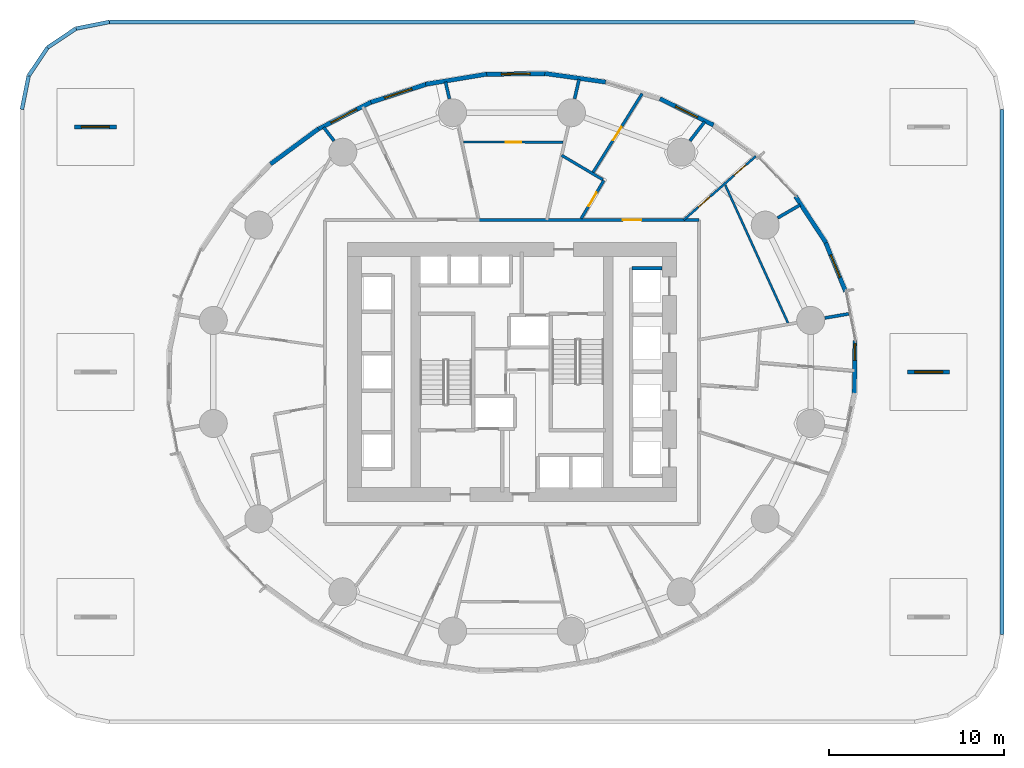
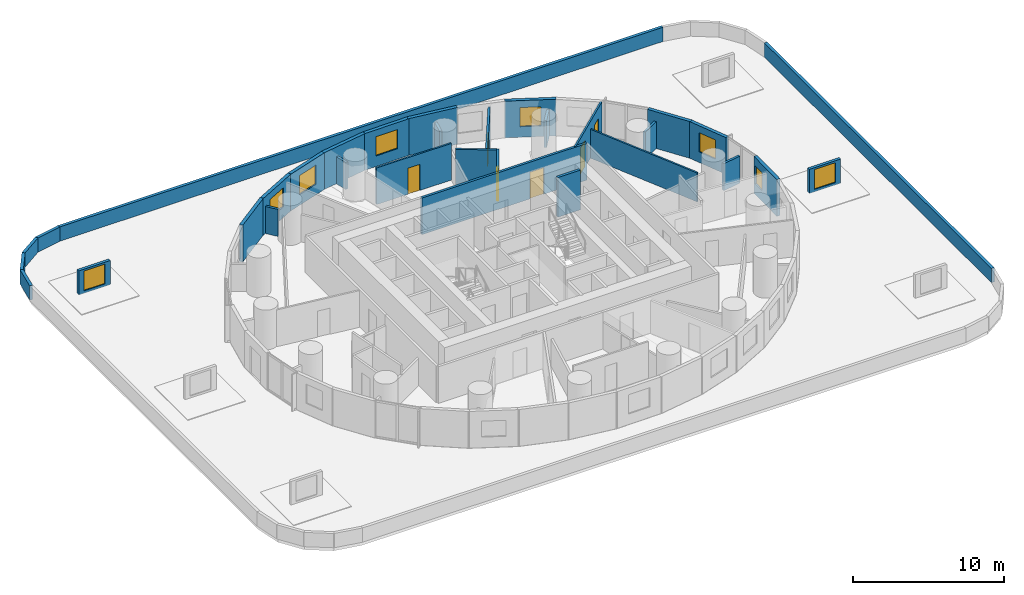
# One storey, part 9 of 12: 32 walls, 8 windows, 6 doors, 14 openings.
"""IFC4 building model written with IfcOpenShell, lengths in metres."""

from ifc_helpers import new_model, si_unit, direction, frame, frame_2d, origin, place, context, subcontext, project, spatial, rectangle, extrude, material, layer, layer_set, type_object, element, fill, save


model = new_model("IFC4")

# Units and contexts
model_context = context("Model", 3, precision=1e-05, world=origin(), true_north=direction((0.0, 1.0)))
body_context = subcontext(model_context, "Body", "Model", "MODEL_VIEW")
ifc_project = project(units=[si_unit("LENGTHUNIT", "METRE"), si_unit("AREAUNIT", "SQUARE_METRE"), si_unit("VOLUMEUNIT", "CUBIC_METRE"), si_unit("PLANEANGLEUNIT", "RADIAN"), si_unit("MASSUNIT", "GRAM", prefix="KILO")], contexts=[model_context])

# Site, building, storey
site_placement = place(None, origin())
site = spatial("IfcSite", under=ifc_project, at=site_placement, CompositionType="ELEMENT")
building_placement = place(site_placement, origin())
building = spatial("IfcBuilding", under=site, at=building_placement, Name="Veldorim Arch Residences", CompositionType="ELEMENT")
storey_placement = place(building_placement, frame((0.0, 0.0, 24.800048828125)))
storey = spatial("IfcBuildingStorey", under=building, at=storey_placement, Name="L06", CompositionType="ELEMENT", Elevation=24.800048828125)

# Wall, openings, doors
ifc_material_1 = material(Name="Acoustic Gypsum Board", Category="gypsum")
ifc_layer_1 = layer(ifc_material_1, 0.125, Name="Acoustic Stud Room Partition Wall 125")
ifc_layer_set_1 = layer_set([ifc_layer_1], Name="Acoustic Gypsum Board")
wall_type_1 = type_object("IfcWallType", Name="Acoustic Stud Room Partition Wall 125", PredefinedType="PARTITIONING", material=ifc_layer_set_1)
wall_1_placement = place(storey_placement, frame((45.927001953125, 36.32568359375, 0.0), z_axis=(0.0, 0.0, 1.0), x_axis=(-0.748844909992, -0.662745275939, 0.0)))
wall_1 = element("IfcWall", 1, at=wall_1_placement, inside=storey, type_object=wall_type_1, Name="L06 interior wall WL-RES-L06-023", PredefinedType="PARTITIONING", context=body_context, shape_type="SweptSolid", body=[
    extrude(rectangle(XDim=5.5009765625, YDim=0.125, at=frame_2d((2.75048828125, 0.0))), origin(), (0.0, 0.0, 1.0), 2.954833984375),
])
opening_1_placement = place(wall_1_placement, frame((0.74609375, 0.0, 0.0)))
opening_1 = element("IfcOpeningElement", 2, at=opening_1_placement, cuts=wall_1, Name="Opening DR-INT", PredefinedType="OPENING", context=body_context, shape_type="SweptSolid", body=[
    extrude(rectangle(XDim=0.89990234375, YDim=2.10009765625, at=frame_2d((0.449951171875, 1.050048828125))), frame((0.0, 0.072509765625, 0.0), z_axis=(0.0, -1.0, 0.0), x_axis=(1.0, 0.0, 0.0)), (0.0, 0.0, 1.0), 0.14501953125),
])
opening_2_placement = place(wall_1_placement, frame((3.476318359375, 0.0, 0.0)))
opening_2 = element("IfcOpeningElement", 3, at=opening_2_placement, cuts=wall_1, Name="Opening DR-INT", PredefinedType="OPENING", context=body_context, shape_type="SweptSolid", body=[
    extrude(rectangle(XDim=0.89990234375, YDim=2.10009765625, at=frame_2d((0.449951171875, 1.050048828125))), frame((0.0, 0.072509765625, 0.0), z_axis=(0.0, -1.0, 0.0), x_axis=(1.0, 0.0, 0.0)), (0.0, 0.0, 1.0), 0.14501953125),
])
ifc_material_2 = material(Name="Engineered Timber", Category="wood")
door_type_1 = type_object("IfcDoorType", Name="Apartment Internal Room Timber Door 900x2100", OperationType="SINGLE_SWING_LEFT", PredefinedType="DOOR", material=ifc_material_2)
door_1_placement = place(opening_1_placement, origin())
door_1 = element("IfcDoor", 4, at=door_1_placement, inside=storey, type_object=door_type_1, Name="L06 interior door DR-RES-L06-015", OperationType="SINGLE_SWING_LEFT", OverallHeight=2.10009765625, OverallWidth=0.89990234375, PredefinedType="DOOR", context=body_context, shape_type="SweptSolid", body=[
    extrude(rectangle(XDim=0.89990234375, YDim=2.10009765625, at=frame_2d((0.449951171875, 1.050048828125))), frame((0.0, 0.02490234375, 0.0), z_axis=(0.0, -1.0, 0.0), x_axis=(1.0, 0.0, 0.0)), (0.0, 0.0, 1.0), 0.050048828125),
])
fill(opening_1, door_1)
door_2_placement = place(opening_2_placement, origin())
door_2 = element("IfcDoor", 5, at=door_2_placement, inside=storey, type_object=door_type_1, Name="L06 interior door DR-RES-L06-016", OperationType="SINGLE_SWING_RIGHT", OverallHeight=2.10009765625, OverallWidth=0.89990234375, PredefinedType="DOOR", context=body_context, shape_type="SweptSolid", body=[
    extrude(rectangle(XDim=0.89990234375, YDim=2.10009765625, at=frame_2d((0.449951171875, 1.050048828125))), frame((0.0, 0.02490234375, 0.0), z_axis=(0.0, -1.0, 0.0), x_axis=(1.0, 0.0, 0.0)), (0.0, 0.0, 1.0), 0.050048828125),
])
fill(opening_2, door_2)

# Wall
wall_2_placement = place(storey_placement, frame((47.76904296875, 26.800537109375, 0.0), z_axis=(0.0, 0.0, 1.0), x_axis=(-0.414076998559, 0.910241857565, 0.0)))
element("IfcWall", 6, at=wall_2_placement, inside=storey, type_object=wall_type_1, Name="L06 interior wall WL-RES-L06-027", PredefinedType="PARTITIONING", context=body_context, shape_type="SweptSolid", body=[
    extrude(rectangle(XDim=8.65771484375, YDim=0.125, at=frame_2d((4.328857421875, 0.0))), origin(), (0.0, 0.0, 1.0), 2.32763671875),
])

# Wall, opening, door
wall_3_placement = place(storey_placement, frame((29.236572265625, 37.146484375, 0.0), z_axis=(0.0, 0.0, 1.0), x_axis=(0.999989854874, -0.004504458806, 0.0)))
wall_3 = element("IfcWall", 7, at=wall_3_placement, inside=storey, type_object=wall_type_1, Name="L06 interior wall WL-RES-L06-031", PredefinedType="PARTITIONING", context=body_context, shape_type="SweptSolid", body=[
    extrude(rectangle(XDim=5.69091796875, YDim=0.125, at=frame_2d((2.845458984375, 0.0))), origin(), (0.0, 0.0, 1.0), 2.954833984375),
])
opening_3_placement = place(wall_3_placement, frame((2.3955078125, 0.0, 0.0)))
opening_3 = element("IfcOpeningElement", 8, at=opening_3_placement, cuts=wall_3, Name="Opening DR-INT", PredefinedType="OPENING", context=body_context, shape_type="SweptSolid", body=[
    extrude(rectangle(XDim=0.89990234375, YDim=2.10009765625, at=frame_2d((0.449951171875, 1.050048828125))), frame((0.0, 0.072509765625, 0.0), z_axis=(0.0, -1.0, 0.0), x_axis=(1.0, 0.0, 0.0)), (0.0, 0.0, 1.0), 0.14501953125),
])
door_3_placement = place(opening_3_placement, origin())
door_3 = element("IfcDoor", 9, at=door_3_placement, inside=storey, type_object=door_type_1, Name="L06 interior door DR-RES-L06-021", OperationType="SINGLE_SWING_LEFT", OverallHeight=2.10009765625, OverallWidth=0.89990234375, PredefinedType="DOOR", context=body_context, shape_type="SweptSolid", body=[
    extrude(rectangle(XDim=0.89990234375, YDim=2.10009765625, at=frame_2d((0.449951171875, 1.050048828125))), frame((0.0, 0.02490234375, 0.0), z_axis=(0.0, -1.0, 0.0), x_axis=(1.0, 0.0, 0.0)), (0.0, 0.0, 1.0), 0.050048828125),
])
fill(opening_3, door_3)

# Walls
ifc_material_3 = material(Name="Lightweight Masonry Block & Gypsum", Category="masonry")
ifc_layer_2 = layer(ifc_material_3, 0.179931640625, Name="Compartment & Corridor Fire-Rated Party Wall 180")
ifc_layer_set_2 = layer_set([ifc_layer_2], Name="Lightweight Masonry Block & Gypsum")
wall_type_2 = type_object("IfcWallType", Name="Compartment & Corridor Fire-Rated Party Wall 180", PredefinedType="PARTITIONING", material=ifc_layer_set_2)
wall_4_placement = place(storey_placement, frame((49.873779296875, 27.08544921875, 0.0), z_axis=(0.0, 0.0, 1.0), x_axis=(0.985429571056, 0.170083980696, 0.0)))
element("IfcWall", 10, at=wall_4_placement, inside=storey, type_object=wall_type_2, Name="L06 interior wall WL-PIER-L06-01", PredefinedType="PARTITIONING", context=body_context, shape_type="SweptSolid", body=[
    extrude(rectangle(XDim=1.38525390625, YDim=0.179931640625, at=frame_2d((0.692626953125, 0.0))), origin(), (0.0, 0.0, 1.0), 2.17822265625),
])
wall_5_placement = place(storey_placement, frame((47.177001953125, 32.80029296875, 0.0), z_axis=(0.0, 0.0, 1.0), x_axis=(0.865049792178, 0.501686014408, 0.0)))
element("IfcWall", 11, at=wall_5_placement, inside=storey, type_object=wall_type_2, Name="L06 interior wall WL-PIER-L06-02", PredefinedType="PARTITIONING", context=body_context, shape_type="SweptSolid", body=[
    extrude(rectangle(XDim=1.48095703125, YDim=0.179931640625, at=frame_2d((0.740478515625, 0.0))), origin(), (0.0, 0.0, 1.0), 2.17822265625),
])
wall_6_placement = place(storey_placement, frame((42.167236328125, 37.204833984375, 0.0), z_axis=(0.0, 0.0, 1.0), x_axis=(0.609967804345, 0.792426196982, 0.0)))
element("IfcWall", 12, at=wall_6_placement, inside=storey, type_object=wall_type_2, Name="L06 interior wall WL-PIER-L06-03", PredefinedType="PARTITIONING", context=body_context, shape_type="SweptSolid", body=[
    extrude(rectangle(XDim=1.376953125, YDim=0.179931640625, at=frame_2d((0.6884765625, 0.0))), origin(), (0.0, 0.0, 1.0), 2.17822265625),
])
wall_7_placement = place(storey_placement, frame((35.577880859375, 39.609130859375, 0.0), z_axis=(0.0, 0.0, 1.0), x_axis=(0.223317049761, 0.974745861897, 0.0)))
element("IfcWall", 13, at=wall_7_placement, inside=storey, type_object=wall_type_2, Name="L06 interior wall WL-PIER-L06-04", PredefinedType="PARTITIONING", context=body_context, shape_type="SweptSolid", body=[
    extrude(rectangle(XDim=1.14453125, YDim=0.179931640625, at=frame_2d((0.572265625, 0.0))), origin(), (0.0, 0.0, 1.0), 2.17822265625),
])
wall_8_placement = place(storey_placement, frame((28.422119140625, 39.609130859375, 0.0), z_axis=(0.0, 0.0, 1.0), x_axis=(-0.223200215289, 0.974772621638, 0.0)))
element("IfcWall", 14, at=wall_8_placement, inside=storey, type_object=wall_type_2, Name="L06 interior wall WL-PIER-L06-05", PredefinedType="PARTITIONING", context=body_context, shape_type="SweptSolid", body=[
    extrude(rectangle(XDim=0.98876953125, YDim=0.179931640625, at=frame_2d((0.494384765625, 0.0))), origin(), (0.0, 0.0, 1.0), 2.17822265625),
])
wall_9_placement = place(storey_placement, frame((21.832763671875, 37.204833984375, 0.0), z_axis=(0.0, 0.0, 1.0), x_axis=(-0.609953343804, 0.792437327732, 0.0)))
element("IfcWall", 15, at=wall_9_placement, inside=storey, type_object=wall_type_2, Name="L06 interior wall WL-PIER-L06-06", PredefinedType="PARTITIONING", context=body_context, shape_type="SweptSolid", body=[
    extrude(rectangle(XDim=0.97265625, YDim=0.179931640625, at=frame_2d((0.486328125, 0.0))), origin(), (0.0, 0.0, 1.0), 2.17822265625),
])

# Wall, opening, door
wall_10_placement = place(storey_placement, frame((30.102294921875, 32.679931640625, 0.0), z_axis=(0.0, 0.0, 1.0), x_axis=(1.0, 0.0, 0.0)))
wall_10 = element("IfcWall", 16, at=wall_10_placement, inside=storey, type_object=wall_type_2, Name="L06 interior wall WL-RES-L06-005", PredefinedType="PARTITIONING", context=body_context, shape_type="SweptSolid", body=[
    extrude(rectangle(XDim=12.57763671875, YDim=0.179931640625, at=frame_2d((6.288818359375, 0.0))), origin(), (0.0, 0.0, 1.0), 2.954833984375),
])
opening_4_placement = place(wall_10_placement, frame((8.23291015625, 0.0, 0.0)))
opening_4 = element("IfcOpeningElement", 17, at=opening_4_placement, cuts=wall_10, Name="Opening DR-FLT", PredefinedType="OPENING", context=body_context, shape_type="SweptSolid", body=[
    extrude(rectangle(XDim=1.050048828125, YDim=2.14990234375, at=frame_2d((0.52490234375, 1.074951171875))), frame((0.0, 0.099853515625, 0.0), z_axis=(0.0, -1.0, 0.0), x_axis=(1.0, 0.0, 0.0)), (0.0, 0.0, 1.0), 0.199951171875),
])
ifc_material_4 = material(Name="Fire-Rated Timber", Category="wood")
door_type_2 = type_object("IfcDoorType", Name="Apartment Entrance Solid-Core Fire Door 1050x2150", OperationType="SINGLE_SWING_LEFT", PredefinedType="DOOR", material=ifc_material_4)
door_4_placement = place(opening_4_placement, origin())
door_4 = element("IfcDoor", 18, at=door_4_placement, inside=storey, type_object=door_type_2, Name="L06 interior door DR-RES-L06-013", OperationType="SINGLE_SWING_LEFT", OverallHeight=2.14990234375, OverallWidth=1.050048828125, PredefinedType="DOOR", context=body_context, shape_type="SweptSolid", body=[
    extrude(rectangle(XDim=1.050048828125, YDim=2.14990234375, at=frame_2d((0.52490234375, 1.074951171875))), frame((0.0, 0.02490234375, 0.0), z_axis=(0.0, -1.0, 0.0), x_axis=(1.0, 0.0, 0.0)), (0.0, 0.0, 1.0), 0.050048828125),
])
fill(opening_4, door_4)

# Walls
ifc_material_5 = material(Name="Concrete C50/60", Category="concrete")
ifc_layer_3 = layer(ifc_material_5, 0.199951171875, Name="Core Stair & Lift Shaft Enclosure Wall 200")
ifc_layer_set_3 = layer_set([ifc_layer_3], Name="Concrete C50/60")
wall_type_3 = type_object("IfcWallType", Name="Core Stair & Lift Shaft Enclosure Wall 200", PredefinedType="SHEAR", material=ifc_layer_set_3)
wall_11_placement = place(storey_placement, frame((38.8701171875, 29.93994140625, 0.0), z_axis=(0.0, 0.0, 1.0), x_axis=(1.0, 0.0, 0.0)))
element("IfcWall", 19, at=wall_11_placement, inside=storey, type_object=wall_type_3, Name="L06 shaft wall WL-B1-L06-N", PredefinedType="SHEAR", context=body_context, shape_type="SweptSolid", body=[
    extrude(rectangle(XDim=1.7099609375, YDim=0.199951171875, at=frame_2d((0.85498046875, 0.0))), origin(), (0.0, 0.0, 1.0), 3.199951171875),
])
ifc_material_6 = material(Name="Precast concrete C40/50", Category="concrete")
ifc_layer_4 = layer(ifc_material_6, 0.219970703125, Name="Terrace & Refuge Perimeter Parapet Wall 220")
ifc_layer_set_4 = layer_set([ifc_layer_4], Name="Precast concrete C40/50")
wall_type_4 = type_object("IfcWallType", Name="Terrace & Refuge Perimeter Parapet Wall 220", PredefinedType="PARAPET", material=ifc_layer_set_4)
wall_12_placement = place(storey_placement, frame((60.0, 39.0, 0.0), z_axis=(0.0, 0.0, 1.0), x_axis=(0.0, -1.0, 0.0)))
element("IfcWall", 20, at=wall_12_placement, inside=storey, type_object=wall_type_4, Name="L06 podium roof garden perimeter parapet 04", PredefinedType="PARAPET", context=body_context, shape_type="SweptSolid", body=[
    extrude(rectangle(XDim=30.0, YDim=0.219970703125, at=frame_2d((15.0, 0.0))), origin(), (0.0, 0.0, 1.0), 1.14990234375),
])
wall_13_placement = place(storey_placement, frame((9.0, 44.0, 0.0), z_axis=(0.0, 0.0, 1.0), x_axis=(1.0, 0.0, 0.0)))
element("IfcWall", 21, at=wall_13_placement, inside=storey, type_object=wall_type_4, Name="L06 podium roof garden perimeter parapet 09", PredefinedType="PARAPET", context=body_context, shape_type="SweptSolid", body=[
    extrude(rectangle(XDim=46.0, YDim=0.219970703125, at=frame_2d((23.0, 0.0))), origin(), (0.0, 0.0, 1.0), 1.14990234375),
])
for number, where, z_axis, x_axis, name in (
    (22, (7.086669921875, 43.619384765625, 0.0), (0.0, 0.0, 1.0), (0.980782316333, 0.19510522281, 0.0), "L06 podium roof garden perimeter parapet 10"),
    (23, (5.464599609375, 42.535400390625, 0.0), (0.0, 0.0, 1.0), (0.831433704682, 0.555623968812, 0.0), "L06 podium roof garden perimeter parapet 11"),
    (24, (4.380615234375, 40.913330078125, 0.0), (0.0, 0.0, 1.0), (0.555623968812, 0.831433704682, 0.0), "L06 podium roof garden perimeter parapet 12"),
    (25, (4.0, 39.0, 0.0), (0.0, 0.0, 1.0), (0.19510522281, 0.980782316333, 0.0), "L06 podium roof garden perimeter parapet 13"),
):
    element("IfcWall", number, at=place(storey_placement, frame(where, z_axis=z_axis, x_axis=x_axis)), inside=storey, type_object=wall_type_4, Name=name, PredefinedType="PARAPET", context=body_context, shape_type="SweptSolid", body=[
        extrude(rectangle(XDim=1.950927734375, YDim=0.219970703125, at=frame_2d((0.9755859375, 0.0))), origin(), (0.0, 0.0, 1.0), 1.14990234375),
    ])

# Wall, opening, window
wall_14_placement = place(storey_placement, frame((7.0, 38.0, 0.0), z_axis=(0.0, 0.0, 1.0), x_axis=(1.0, 0.0, 0.0)))
wall_14 = element("IfcWall", 26, at=wall_14_placement, inside=storey, type_object=wall_type_4, Name="L06 clinic atrium skylight monitor wall 03", PredefinedType="PARAPET", context=body_context, shape_type="SweptSolid", body=[
    extrude(rectangle(XDim=2.39990234375, YDim=0.219970703125, at=frame_2d((1.199951171875, 0.0))), origin(), (0.0, 0.0, 1.0), 1.949951171875),
])
opening_5_placement = place(wall_14_placement, frame((0.39990234375, 0.0, 0.199951171875)))
opening_5 = element("IfcOpeningElement", 27, at=opening_5_placement, cuts=wall_14, Name="Opening SK-01", PredefinedType="OPENING", context=body_context, shape_type="SweptSolid", body=[
    extrude(rectangle(XDim=1.60009765625, YDim=1.60009765625, at=frame_2d((0.800048828125, 0.800048828125))), frame((0.0, 0.119873046875, 0.0), z_axis=(0.0, -1.0, 0.0), x_axis=(1.0, 0.0, 0.0)), (0.0, 0.0, 1.0), 0.239990234375),
])
ifc_material_7 = material(Name="Laminated Low-E Glass", Category="glass")
window_type_1 = type_object("IfcWindowType", Name="Podium Roof Framed Skylight 1600x1600", PartitioningType="SINGLE_PANEL", PredefinedType="SKYLIGHT", material=ifc_material_7)
window_1_placement = place(opening_5_placement, origin())
window_1 = element("IfcWindow", 28, at=window_1_placement, inside=storey, type_object=window_type_1, Name="L06 polyclinic roof skylight 03", OverallHeight=1.60009765625, OverallWidth=1.60009765625, PartitioningType="SINGLE_PANEL", PredefinedType="SKYLIGHT", context=body_context, shape_type="SweptSolid", body=[
    extrude(rectangle(XDim=1.60009765625, YDim=1.60009765625, at=frame_2d((0.800048828125, 0.800048828125))), frame((0.0, 0.030029296875, 0.0), z_axis=(0.0, -1.0, 0.0), x_axis=(1.0, 0.0, 0.0)), (0.0, 0.0, 1.0), 0.06005859375),
])
fill(opening_5, window_1)

wall_15_placement = place(storey_placement, frame((54.60009765625, 24.0, 0.0), z_axis=(0.0, 0.0, 1.0), x_axis=(1.0, 0.0, 0.0)))
wall_15 = element("IfcWall", 29, at=wall_15_placement, inside=storey, type_object=wall_type_4, Name="L06 clinic atrium skylight monitor wall 05", PredefinedType="PARAPET", context=body_context, shape_type="SweptSolid", body=[
    extrude(rectangle(XDim=2.39990234375, YDim=0.219970703125, at=frame_2d((1.199951171875, 0.0))), origin(), (0.0, 0.0, 1.0), 1.949951171875),
])
opening_6_placement = place(wall_15_placement, frame((0.39990234375, 0.0, 0.199951171875)))
opening_6 = element("IfcOpeningElement", 30, at=opening_6_placement, cuts=wall_15, Name="Opening SK-01", PredefinedType="OPENING", context=body_context, shape_type="SweptSolid", body=[
    extrude(rectangle(XDim=1.60009765625, YDim=1.60009765625, at=frame_2d((0.800048828125, 0.800048828125))), frame((0.0, 0.119873046875, 0.0), z_axis=(0.0, -1.0, 0.0), x_axis=(1.0, 0.0, 0.0)), (0.0, 0.0, 1.0), 0.239990234375),
])
window_2_placement = place(opening_6_placement, origin())
window_2 = element("IfcWindow", 31, at=window_2_placement, inside=storey, type_object=window_type_1, Name="L06 polyclinic roof skylight 05", OverallHeight=1.60009765625, OverallWidth=1.60009765625, PartitioningType="SINGLE_PANEL", PredefinedType="SKYLIGHT", context=body_context, shape_type="SweptSolid", body=[
    extrude(rectangle(XDim=1.60009765625, YDim=1.60009765625, at=frame_2d((0.800048828125, 0.800048828125))), frame((0.0, 0.030029296875, 0.0), z_axis=(0.0, -1.0, 0.0), x_axis=(1.0, 0.0, 0.0)), (0.0, 0.0, 1.0), 0.06005859375),
])
fill(opening_6, window_2)

ifc_material_8 = material(Name="Precast concrete C40/50", Category="concrete")
ifc_layer_5 = layer(ifc_material_8, 0.25, Name="Tower Terracotta Spandrel & Pier Wall 250")
ifc_layer_set_5 = layer_set([ifc_layer_5], Name="Precast concrete C40/50")
wall_type_5 = type_object("IfcWallType", Name="Tower Terracotta Spandrel & Pier Wall 250", PredefinedType="SOLIDWALL", material=ifc_layer_set_5)
wall_16_placement = place(storey_placement, frame((49.884521484375, 31.489013671875, 0.0), z_axis=(0.0, 0.0, 1.0), x_axis=(0.377493207518, -0.926012353199, 0.0)))
wall_16 = element("IfcWall", 32, at=wall_16_placement, inside=storey, type_object=wall_type_5, Name="L06 terracotta facade wall 02", PredefinedType="SOLIDWALL", context=body_context, shape_type="SweptSolid", body=[
    extrude(rectangle(XDim=3.12060546875, YDim=0.25, at=frame_2d((1.560302734375, 0.0))), origin(), (0.0, 0.0, 1.0), 2.9599609375),
])
opening_7_placement = place(wall_16_placement, frame((0.860107421875, 0.0, 0.85009765625)))
opening_7 = element("IfcOpeningElement", 33, at=opening_7_placement, cuts=wall_16, Name="Opening WN-02", PredefinedType="OPENING", context=body_context, shape_type="SweptSolid", body=[
    extrude(rectangle(XDim=1.39990234375, YDim=1.550048828125, at=frame_2d((0.699951171875, 0.77490234375))), frame((0.0, 0.135009765625, 0.0), z_axis=(0.0, -1.0, 0.0), x_axis=(1.0, 0.0, 0.0)), (0.0, 0.0, 1.0), 0.27001953125),
])
ifc_material_9 = material(Name="Laminated Low-E Glass", Category="glass")
window_type_2 = type_object("IfcWindowType", Name="Residential Casement Window 1400x1550", PartitioningType="SINGLE_PANEL", PredefinedType="WINDOW", material=ifc_material_9)
window_3_placement = place(opening_7_placement, origin())
window_3 = element("IfcWindow", 34, at=window_3_placement, inside=storey, type_object=window_type_2, Name="L06 solar-control facade window 02", OverallHeight=1.550048828125, OverallWidth=1.39990234375, PartitioningType="SINGLE_PANEL", PredefinedType="WINDOW", context=body_context, shape_type="SweptSolid", body=[
    extrude(rectangle(XDim=1.39990234375, YDim=1.550048828125, at=frame_2d((0.699951171875, 0.77490234375))), frame((0.0, 0.030029296875, 0.0), z_axis=(0.0, -1.0, 0.0), x_axis=(1.0, 0.0, 0.0)), (0.0, 0.0, 1.0), 0.06005859375),
])
fill(opening_7, window_3)

# Wall
wall_17_placement = place(storey_placement, frame((48.1962890625, 34.042236328125, 0.0), z_axis=(0.0, 0.0, 1.0), x_axis=(0.548579153619, -0.836098625889, 0.0)))
element("IfcWall", 35, at=wall_17_placement, inside=storey, type_object=wall_type_5, Name="L06 terracotta facade wall 03", PredefinedType="SOLIDWALL", context=body_context, shape_type="SweptSolid", body=[
    extrude(rectangle(XDim=3.174072265625, YDim=0.25, at=frame_2d((1.5869140625, 0.0))), origin(), (0.0, 0.0, 1.0), 2.9599609375),
])

# Wall, opening, window
wall_18_placement = place(storey_placement, frame((40.45751953125, 39.615478515625, 0.0), z_axis=(0.0, 0.0, 1.0), x_axis=(0.896727977212, -0.442582122193, 0.0)))
wall_18 = element("IfcWall", 36, at=wall_18_placement, inside=storey, type_object=wall_type_5, Name="L06 terracotta facade wall 06", PredefinedType="SOLIDWALL", context=body_context, shape_type="SweptSolid", body=[
    extrude(rectangle(XDim=3.399169921875, YDim=0.25, at=frame_2d((1.69970703125, 0.0))), origin(), (0.0, 0.0, 1.0), 2.9599609375),
])
opening_8_placement = place(wall_18_placement, frame((1.0, 0.0, 0.85009765625)))
opening_8 = element("IfcOpeningElement", 37, at=opening_8_placement, cuts=wall_18, Name="Opening WN-02", PredefinedType="OPENING", context=body_context, shape_type="SweptSolid", body=[
    extrude(rectangle(XDim=1.39990234375, YDim=1.550048828125, at=frame_2d((0.699951171875, 0.77490234375))), frame((0.0, 0.135009765625, 0.0), z_axis=(0.0, -1.0, 0.0), x_axis=(1.0, 0.0, 0.0)), (0.0, 0.0, 1.0), 0.27001953125),
])
window_4_placement = place(opening_8_placement, origin())
window_4 = element("IfcWindow", 38, at=window_4_placement, inside=storey, type_object=window_type_2, Name="L06 solar-control facade window 06", OverallHeight=1.550048828125, OverallWidth=1.39990234375, PartitioningType="SINGLE_PANEL", PredefinedType="WINDOW", context=body_context, shape_type="SweptSolid", body=[
    extrude(rectangle(XDim=1.39990234375, YDim=1.550048828125, at=frame_2d((0.699951171875, 0.77490234375))), frame((0.0, 0.030029296875, 0.0), z_axis=(0.0, -1.0, 0.0), x_axis=(1.0, 0.0, 0.0)), (0.0, 0.0, 1.0), 0.06005859375),
])
fill(opening_8, window_4)

# Wall
wall_19_placement = place(storey_placement, frame((33.874755859375, 41.057861328125, 0.0), z_axis=(0.0, 0.0, 1.0), x_axis=(0.990105954495, -0.140321769067, 0.0)))
element("IfcWall", 39, at=wall_19_placement, inside=storey, type_object=wall_type_5, Name="L06 terracotta facade wall 08", PredefinedType="SOLIDWALL", context=body_context, shape_type="SweptSolid", body=[
    extrude(rectangle(XDim=3.5126953125, YDim=0.25, at=frame_2d((1.75634765625, 0.0))), origin(), (0.0, 0.0, 1.0), 2.9599609375),
])

# Wall, opening, window
wall_20_placement = place(storey_placement, frame((30.445556640625, 41.008056640625, 0.0), z_axis=(0.0, 0.0, 1.0), x_axis=(0.999927087517, 0.012075580727, 0.0)))
wall_20 = element("IfcWall", 40, at=wall_20_placement, inside=storey, type_object=wall_type_5, Name="L06 terracotta facade wall 09", PredefinedType="SOLIDWALL", context=body_context, shape_type="SweptSolid", body=[
    extrude(rectangle(XDim=3.5380859375, YDim=0.25, at=frame_2d((1.76904296875, 0.0))), origin(), (0.0, 0.0, 1.0), 2.9599609375),
])
opening_9_placement = place(wall_20_placement, frame((0.944091796875, 0.0, 0.85009765625)))
opening_9 = element("IfcOpeningElement", 41, at=opening_9_placement, cuts=wall_20, Name="Opening WN-03", PredefinedType="OPENING", context=body_context, shape_type="SweptSolid", body=[
    extrude(rectangle(XDim=1.64990234375, YDim=1.550048828125, at=frame_2d((0.824951171875, 0.77490234375))), frame((0.0, 0.135009765625, 0.0), z_axis=(0.0, -1.0, 0.0), x_axis=(1.0, 0.0, 0.0)), (0.0, 0.0, 1.0), 0.27001953125),
])
ifc_material_10 = material(Name="Laminated Low-E Glass", Category="glass")
window_type_3 = type_object("IfcWindowType", Name="Residential Wide Window 1650x1550", PartitioningType="SINGLE_PANEL", PredefinedType="WINDOW", material=ifc_material_10)
window_5_placement = place(opening_9_placement, origin())
window_5 = element("IfcWindow", 42, at=window_5_placement, inside=storey, type_object=window_type_3, Name="L06 solar-control facade window 09", OverallHeight=1.550048828125, OverallWidth=1.64990234375, PartitioningType="SINGLE_PANEL", PredefinedType="WINDOW", context=body_context, shape_type="SweptSolid", body=[
    extrude(rectangle(XDim=1.64990234375, YDim=1.550048828125, at=frame_2d((0.824951171875, 0.77490234375))), frame((0.0, 0.030029296875, 0.0), z_axis=(0.0, -1.0, 0.0), x_axis=(1.0, 0.0, 0.0)), (0.0, 0.0, 1.0), 0.06005859375),
])
fill(opening_9, window_5)

# Wall
wall_21_placement = place(storey_placement, frame((27.06298828125, 40.4404296875, 0.0), z_axis=(0.0, 0.0, 1.0), x_axis=(0.986605703013, 0.16312322576, 0.0)))
element("IfcWall", 43, at=wall_21_placement, inside=storey, type_object=wall_type_5, Name="L06 terracotta facade wall 10", PredefinedType="SOLIDWALL", context=body_context, shape_type="SweptSolid", body=[
    extrude(rectangle(XDim=3.5380859375, YDim=0.25, at=frame_2d((1.76904296875, 0.0))), origin(), (0.0, 0.0, 1.0), 2.9599609375),
])

# Wall, opening, window
wall_22_placement = place(storey_placement, frame((23.83056640625, 39.37255859375, 0.0), z_axis=(0.0, 0.0, 1.0), x_axis=(0.950290237418, 0.311365484066, 0.0)))
wall_22 = element("IfcWall", 44, at=wall_22_placement, inside=storey, type_object=wall_type_5, Name="L06 terracotta facade wall 11", PredefinedType="SOLIDWALL", context=body_context, shape_type="SweptSolid", body=[
    extrude(rectangle(XDim=3.5126953125, YDim=0.25, at=frame_2d((1.75634765625, 0.0))), origin(), (0.0, 0.0, 1.0), 2.9599609375),
])
opening_10_placement = place(wall_22_placement, frame((0.930908203125, 0.0, 0.85009765625)))
opening_10 = element("IfcOpeningElement", 45, at=opening_10_placement, cuts=wall_22, Name="Opening WN-03", PredefinedType="OPENING", context=body_context, shape_type="SweptSolid", body=[
    extrude(rectangle(XDim=1.64990234375, YDim=1.550048828125, at=frame_2d((0.824951171875, 0.77490234375))), frame((0.0, 0.135009765625, 0.0), z_axis=(0.0, -1.0, 0.0), x_axis=(1.0, 0.0, 0.0)), (0.0, 0.0, 1.0), 0.27001953125),
])
window_6_placement = place(opening_10_placement, origin())
window_6 = element("IfcWindow", 46, at=window_6_placement, inside=storey, type_object=window_type_3, Name="L06 solar-control facade window 11", OverallHeight=1.550048828125, OverallWidth=1.64990234375, PartitioningType="SINGLE_PANEL", PredefinedType="WINDOW", context=body_context, shape_type="SweptSolid", body=[
    extrude(rectangle(XDim=1.64990234375, YDim=1.550048828125, at=frame_2d((0.824951171875, 0.77490234375))), frame((0.0, 0.030029296875, 0.0), z_axis=(0.0, -1.0, 0.0), x_axis=(1.0, 0.0, 0.0)), (0.0, 0.0, 1.0), 0.06005859375),
])
fill(opening_10, window_6)

wall_23_placement = place(storey_placement, frame((20.8466796875, 37.83642578125, 0.0), z_axis=(0.0, 0.0, 1.0), x_axis=(0.890260122421, 0.455452428281, 0.0)))
wall_23 = element("IfcWall", 47, at=wall_23_placement, inside=storey, type_object=wall_type_5, Name="L06 terracotta facade wall 12", PredefinedType="SOLIDWALL", context=body_context, shape_type="SweptSolid", body=[
    extrude(rectangle(XDim=3.46484375, YDim=0.25, at=frame_2d((1.732421875, 0.0))), origin(), (0.0, 0.0, 1.0), 2.9599609375),
])
opening_11_placement = place(wall_23_placement, frame((0.906982421875, 0.0, 0.85009765625)))
opening_11 = element("IfcOpeningElement", 48, at=opening_11_placement, cuts=wall_23, Name="Opening WN-03", PredefinedType="OPENING", context=body_context, shape_type="SweptSolid", body=[
    extrude(rectangle(XDim=1.64990234375, YDim=1.550048828125, at=frame_2d((0.824951171875, 0.77490234375))), frame((0.0, 0.135009765625, 0.0), z_axis=(0.0, -1.0, 0.0), x_axis=(1.0, 0.0, 0.0)), (0.0, 0.0, 1.0), 0.27001953125),
])
window_7_placement = place(opening_11_placement, origin())
window_7 = element("IfcWindow", 49, at=window_7_placement, inside=storey, type_object=window_type_3, Name="L06 solar-control facade window 12", OverallHeight=1.550048828125, OverallWidth=1.64990234375, PartitioningType="SINGLE_PANEL", PredefinedType="WINDOW", context=body_context, shape_type="SweptSolid", body=[
    extrude(rectangle(XDim=1.64990234375, YDim=1.550048828125, at=frame_2d((0.824951171875, 0.77490234375))), frame((0.0, 0.030029296875, 0.0), z_axis=(0.0, -1.0, 0.0), x_axis=(1.0, 0.0, 0.0)), (0.0, 0.0, 1.0), 0.06005859375),
])
fill(opening_11, window_7)

# Wall
wall_24_placement = place(storey_placement, frame((18.202392578125, 35.879638671875, 0.0), z_axis=(0.0, 0.0, 1.0), x_axis=(0.805405938507, 0.592723606935, 0.0)))
element("IfcWall", 50, at=wall_24_placement, inside=storey, type_object=wall_type_5, Name="L06 terracotta facade wall 13", PredefinedType="SOLIDWALL", context=body_context, shape_type="SweptSolid", body=[
    extrude(rectangle(XDim=3.39892578125, YDim=0.25, at=frame_2d((1.699462890625, 0.0))), origin(), (0.0, 0.0, 1.0), 2.9599609375),
])

# Wall, opening, window
wall_25_placement = place(storey_placement, frame((51.59912109375, 25.785888671875, 0.0), z_axis=(0.0, 0.0, 1.0), x_axis=(-0.012397373015, -0.999923149618, 0.0)))
wall_25 = element("IfcWall", 51, at=wall_25_placement, inside=storey, type_object=wall_type_5, Name="L06 terracotta facade wall 36", PredefinedType="SOLIDWALL", context=body_context, shape_type="SweptSolid", body=[
    extrude(rectangle(XDim=3.091796875, YDim=0.25, at=frame_2d((1.5458984375, 0.0))), origin(), (0.0, 0.0, 1.0), 2.9599609375),
])
opening_12_placement = place(wall_25_placement, frame((0.175048828125, 0.0, 0.85009765625)))
opening_12 = element("IfcOpeningElement", 52, at=opening_12_placement, cuts=wall_25, Name="Opening WN-05", PredefinedType="OPENING", context=body_context, shape_type="SweptSolid", body=[
    extrude(rectangle(XDim=0.949951171875, YDim=1.449951171875, at=frame_2d((0.47509765625, 0.72509765625))), frame((0.0, 0.135009765625, 0.0), z_axis=(0.0, -1.0, 0.0), x_axis=(1.0, 0.0, 0.0)), (0.0, 0.0, 1.0), 0.27001953125),
])
ifc_material_11 = material(Name="Laminated Low-E Glass", Category="glass")
window_type_4 = type_object("IfcWindowType", Name="Residential Compact Casement Window 950x1450", PartitioningType="SINGLE_PANEL", PredefinedType="WINDOW", material=ifc_material_11)
window_8_placement = place(opening_12_placement, origin())
window_8 = element("IfcWindow", 53, at=window_8_placement, inside=storey, type_object=window_type_4, Name="L06 solar-control facade window 36", OverallHeight=1.449951171875, OverallWidth=0.949951171875, PartitioningType="SINGLE_PANEL", PredefinedType="WINDOW", context=body_context, shape_type="SweptSolid", body=[
    extrude(rectangle(XDim=0.949951171875, YDim=1.449951171875, at=frame_2d((0.47509765625, 0.72509765625))), frame((0.0, 0.030029296875, 0.0), z_axis=(0.0, -1.0, 0.0), x_axis=(1.0, 0.0, 0.0)), (0.0, 0.0, 1.0), 0.06005859375),
])
fill(opening_12, window_8)

# Wall, opening, door
ifc_material_12 = material(Name="Moisture-Resistant Gypsum & Stud", Category="gypsum")
ifc_layer_6 = layer(ifc_material_12, 0.159912109375, Name="Wet-Area Moisture-Resistant Plumbing Wall 160")
ifc_layer_set_6 = layer_set([ifc_layer_6], Name="Moisture-Resistant Gypsum & Stud")
wall_type_6 = type_object("IfcWallType", Name="Wet-Area Moisture-Resistant Plumbing Wall 160", PredefinedType="PLUMBINGWALL", material=ifc_layer_set_6)
wall_26_placement = place(storey_placement, frame((36.591064453125, 35.33984375, 0.0), z_axis=(0.0, 0.0, 1.0), x_axis=(0.528851652391, 0.848714280405, 0.0)))
wall_26 = element("IfcWall", 54, at=wall_26_placement, inside=storey, type_object=wall_type_6, Name="L06 interior wall WL-RES-L06-022", PredefinedType="PLUMBINGWALL", context=body_context, shape_type="SweptSolid", body=[
    extrude(rectangle(XDim=5.377197265625, YDim=0.159912109375, at=frame_2d((2.6884765625, 0.0))), origin(), (0.0, 0.0, 1.0), 2.641357421875),
])
opening_13_placement = place(wall_26_placement, frame((2.238525390625, 0.0, 0.0)))
opening_13 = element("IfcOpeningElement", 55, at=opening_13_placement, cuts=wall_26, Name="Opening DR-WC", PredefinedType="OPENING", context=body_context, shape_type="SweptSolid", body=[
    extrude(rectangle(XDim=0.89990234375, YDim=2.10009765625, at=frame_2d((0.449951171875, 1.050048828125))), frame((0.0, 0.08984375, 0.0), z_axis=(0.0, -1.0, 0.0), x_axis=(1.0, 0.0, 0.0)), (0.0, 0.0, 1.0), 0.179931640625),
])
ifc_material_13 = material(Name="Laminate Timber", Category="wood")
door_type_3 = type_object("IfcDoorType", Name="Bathroom & Accessible WC Moisture-Sealed Door 900x2100", OperationType="SINGLE_SWING_LEFT", PredefinedType="DOOR", material=ifc_material_13)
door_5_placement = place(opening_13_placement, origin())
door_5 = element("IfcDoor", 56, at=door_5_placement, inside=storey, type_object=door_type_3, Name="L06 interior door DR-RES-L06-014", OperationType="SINGLE_SWING_RIGHT", OverallHeight=2.10009765625, OverallWidth=0.89990234375, PredefinedType="DOOR", context=body_context, shape_type="SweptSolid", body=[
    extrude(rectangle(XDim=0.89990234375, YDim=2.10009765625, at=frame_2d((0.449951171875, 1.050048828125))), frame((0.0, 0.02490234375, 0.0), z_axis=(0.0, -1.0, 0.0), x_axis=(1.0, 0.0, 0.0)), (0.0, 0.0, 1.0), 0.050048828125),
])
fill(opening_13, door_5)

wall_27_placement = place(storey_placement, frame((35.953369140625, 32.76611328125, 0.0), z_axis=(0.0, 0.0, 1.0), x_axis=(0.510445432616, 0.859910146656, 0.0)))
wall_27 = element("IfcWall", 57, at=wall_27_placement, inside=storey, type_object=wall_type_6, Name="L06 interior wall WL-RES-L06-024", PredefinedType="PLUMBINGWALL", context=body_context, shape_type="SweptSolid", body=[
    extrude(rectangle(XDim=2.538818359375, YDim=0.159912109375, at=frame_2d((1.26953125, 0.0))), origin(), (0.0, 0.0, 1.0), 2.954833984375),
])
opening_14_placement = place(wall_27_placement, frame((0.8193359375, 0.0, 0.0)))
opening_14 = element("IfcOpeningElement", 58, at=opening_14_placement, cuts=wall_27, Name="Opening DR-INT", PredefinedType="OPENING", context=body_context, shape_type="SweptSolid", body=[
    extrude(rectangle(XDim=0.89990234375, YDim=2.10009765625, at=frame_2d((0.449951171875, 1.050048828125))), frame((0.0, 0.08984375, 0.0), z_axis=(0.0, -1.0, 0.0), x_axis=(1.0, 0.0, 0.0)), (0.0, 0.0, 1.0), 0.179931640625),
])
door_6_placement = place(opening_14_placement, origin())
door_6 = element("IfcDoor", 59, at=door_6_placement, inside=storey, type_object=door_type_1, Name="L06 interior door DR-RES-L06-017", OperationType="SINGLE_SWING_LEFT", OverallHeight=2.10009765625, OverallWidth=0.89990234375, PredefinedType="DOOR", context=body_context, shape_type="SweptSolid", body=[
    extrude(rectangle(XDim=0.89990234375, YDim=2.10009765625, at=frame_2d((0.449951171875, 1.050048828125))), frame((0.0, 0.02490234375, 0.0), z_axis=(0.0, -1.0, 0.0), x_axis=(1.0, 0.0, 0.0)), (0.0, 0.0, 1.0), 0.050048828125),
])
fill(opening_14, door_6)

# Wall
wall_28_placement = place(storey_placement, frame((37.197509765625, 34.979736328125, 0.0), z_axis=(0.0, 0.0, 1.0), x_axis=(-0.859877932507, 0.51049969754, 0.0)))
element("IfcWall", 60, at=wall_28_placement, inside=storey, type_object=wall_type_6, Name="L06 interior wall WL-RES-L06-025", PredefinedType="PLUMBINGWALL", context=body_context, shape_type="SweptSolid", body=[
    extrude(rectangle(XDim=2.744140625, YDim=0.159912109375, at=frame_2d((1.3720703125, 0.0))), origin(), (0.0, 0.0, 1.0), 2.954833984375),
])

save(model, "model.ifc")
